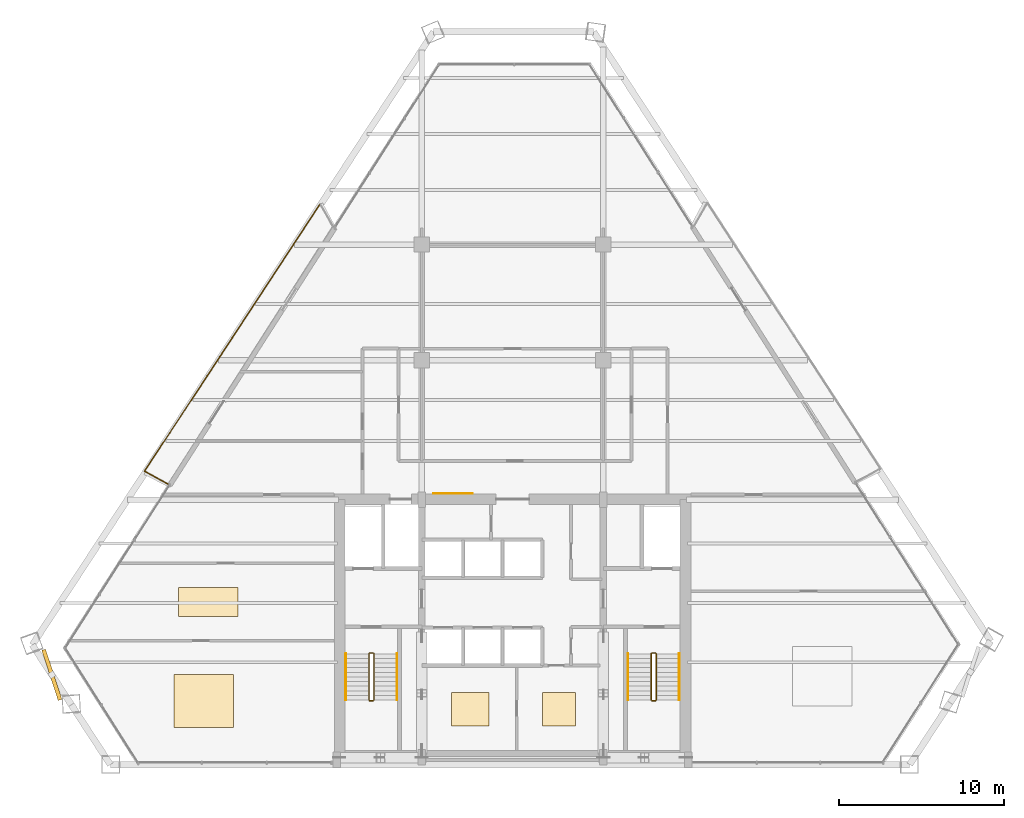
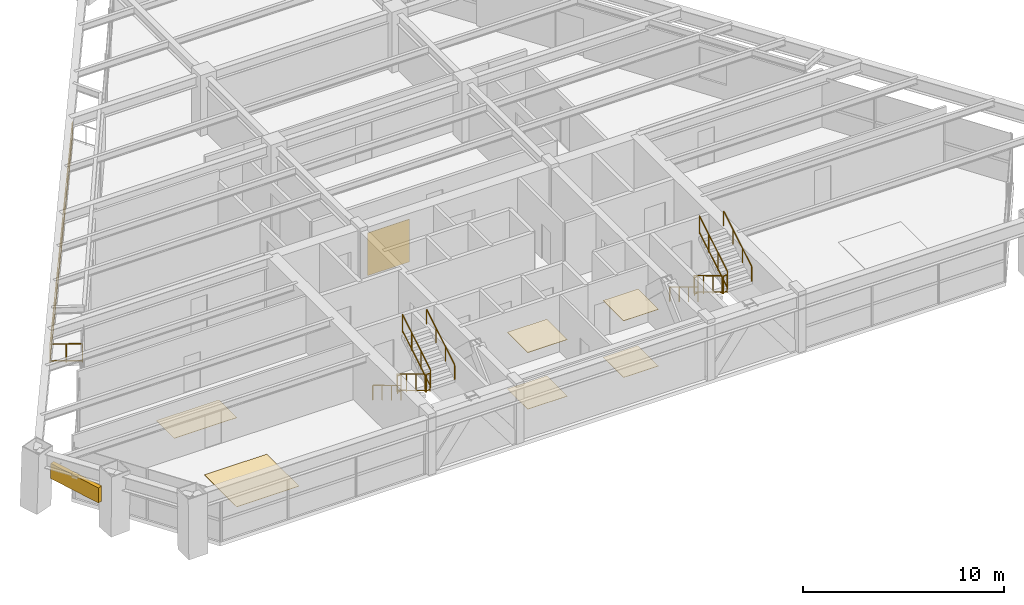
# One storey, part 14 of 15: 14 railings, 7 coverings, 1 shading device.
"""IFC4 building model written with IfcOpenShell, lengths in metres."""

from ifc_helpers import new_model, si_unit, direction, frame, origin, origin_2d, place, context, subcontext, project, spatial, rectangle, extrude, source, transform, mapped, material, layer, layer_set, type_object, type_shapes, element, save


model = new_model("IFC4")

# Units and contexts
model_context = context("Model", 3, precision=1e-05, world=origin(), true_north=direction((0.0, 1.0)))
body_context = subcontext(model_context, "Body", "Model", "MODEL_VIEW")
ifc_project = project(units=[si_unit("LENGTHUNIT", "METRE"), si_unit("AREAUNIT", "SQUARE_METRE"), si_unit("VOLUMEUNIT", "CUBIC_METRE"), si_unit("PLANEANGLEUNIT", "RADIAN"), si_unit("MASSUNIT", "GRAM", prefix="KILO")], contexts=[model_context])

# Site, building, storey
site_placement = place(None, origin())
site = spatial("IfcSite", under=ifc_project, at=site_placement, CompositionType="ELEMENT")
building_placement = place(site_placement, origin())
building = spatial("IfcBuilding", under=site, at=building_placement, Name="Varnakhor Terracotta Tower", CompositionType="ELEMENT")
storey_placement = place(building_placement, frame((0.0, 0.0, 155.199951171875)))
storey = spatial("IfcBuildingStorey", under=building, at=storey_placement, Name="L39", CompositionType="ELEMENT", Elevation=155.199951171875)

# Railings
ifc_material_1 = material(Name="Stainless Steel & Laminated Glass Guardrail", Category="steel")
railing_type_1 = type_object("IfcRailingType", Name="RLG-LOGGIA-GUARD-1150", PredefinedType="GUARDRAIL", material=ifc_material_1)
railing_1_placement = place(storey_placement, frame((-20.88134765625, 16.99462890625, 0.0)))
element("IfcRailing", 1, at=railing_1_placement, inside=storey, type_object=railing_type_1, Name="L39 W Loggia Glass Guard 1", PredefinedType="GUARDRAIL", context=body_context, shape_type="SweptSolid", body=[
    extrude(rectangle(XDim=0.048095703125, YDim=0.048095703125, at=origin_2d()), frame((0.0, 0.0, 1.1259765625), z_axis=(-0.874912667921, 0.484280727999, 0.0), x_axis=(-0.484280727999, -0.874912667921, 0.0)), (0.0, 0.0, 1.0), 1.61376953125),
    extrude(rectangle(XDim=0.048095703125, YDim=0.048095703125, at=origin_2d()), frame((0.0, 0.0, 0.10009765625), z_axis=(-0.874912667921, 0.484280727999, 0.0), x_axis=(-0.484280727999, -0.874912667921, 0.0)), (0.0, 0.0, 1.0), 1.61376953125),
    extrude(rectangle(XDim=0.0419921875, YDim=0.0419921875, at=origin_2d()), origin(), (0.0, 0.0, 1.0), 1.101806640625),
    extrude(rectangle(XDim=0.0419921875, YDim=0.0419921875, at=origin_2d()), frame((-0.7060546875, 0.390625, 0.0)), (0.0, 0.0, 1.0), 1.101806640625),
    extrude(rectangle(XDim=0.0419921875, YDim=0.0419921875, at=origin_2d()), frame((-1.411865234375, 0.781494140625, 0.0)), (0.0, 0.0, 1.0), 1.101806640625),
])
railing_2_placement = place(storey_placement, frame((-22.293212890625, 17.776123046875, 0.0)))
element("IfcRailing", 2, at=railing_2_placement, inside=storey, type_object=railing_type_1, Name="L39 W Loggia Glass Guard 2", PredefinedType="GUARDRAIL", context=body_context, shape_type="SweptSolid", body=[
    extrude(rectangle(XDim=0.048095703125, YDim=0.048095703125, at=origin_2d()), frame((0.0, 0.0, 1.1259765625), z_axis=(0.549080256415, 0.835769628555, 0.0), x_axis=(-0.835769628555, 0.549080256415, 0.0)), (0.0, 0.0, 1.0), 19.361572265625),
    extrude(rectangle(XDim=0.048095703125, YDim=0.048095703125, at=origin_2d()), frame((0.0, 0.0, 0.10009765625), z_axis=(0.549080256415, 0.835769628555, 0.0), x_axis=(-0.835769628555, 0.549080256415, 0.0)), (0.0, 0.0, 1.0), 19.361572265625),
    extrude(rectangle(XDim=0.0419921875, YDim=0.0419921875, at=origin_2d()), origin(), (0.0, 0.0, 1.0), 1.101806640625),
    extrude(rectangle(XDim=0.0419921875, YDim=0.0419921875, at=origin_2d()), frame((0.75927734375, 1.15576171875, 0.0)), (0.0, 0.0, 1.0), 1.101806640625),
    extrude(rectangle(XDim=0.0419921875, YDim=0.0419921875, at=origin_2d()), frame((1.518798828125, 2.311767578125, 0.0)), (0.0, 0.0, 1.0), 1.101806640625),
    extrude(rectangle(XDim=0.0419921875, YDim=0.0419921875, at=origin_2d()), frame((2.278076171875, 3.467529296875, 0.0)), (0.0, 0.0, 1.0), 1.101806640625),
    extrude(rectangle(XDim=0.0419921875, YDim=0.0419921875, at=origin_2d()), frame((3.037353515625, 4.623291015625, 0.0)), (0.0, 0.0, 1.0), 1.101806640625),
    extrude(rectangle(XDim=0.0419921875, YDim=0.0419921875, at=origin_2d()), frame((3.796875, 5.779296875, 0.0)), (0.0, 0.0, 1.0), 1.101806640625),
    extrude(rectangle(XDim=0.0419921875, YDim=0.0419921875, at=origin_2d()), frame((4.55615234375, 6.93505859375, 0.0)), (0.0, 0.0, 1.0), 1.101806640625),
    extrude(rectangle(XDim=0.0419921875, YDim=0.0419921875, at=origin_2d()), frame((5.3154296875, 8.0908203125, 0.0)), (0.0, 0.0, 1.0), 1.101806640625),
    extrude(rectangle(XDim=0.0419921875, YDim=0.0419921875, at=origin_2d()), frame((6.074951171875, 9.246826171875, 0.0)), (0.0, 0.0, 1.0), 1.101806640625),
    extrude(rectangle(XDim=0.0419921875, YDim=0.0419921875, at=origin_2d()), frame((6.834228515625, 10.402587890625, 0.0)), (0.0, 0.0, 1.0), 1.101806640625),
    extrude(rectangle(XDim=0.0419921875, YDim=0.0419921875, at=origin_2d()), frame((7.59375, 11.55859375, 0.0)), (0.0, 0.0, 1.0), 1.101806640625),
    extrude(rectangle(XDim=0.0419921875, YDim=0.0419921875, at=origin_2d()), frame((8.35302734375, 12.71435546875, 0.0)), (0.0, 0.0, 1.0), 1.101806640625),
    extrude(rectangle(XDim=0.0419921875, YDim=0.0419921875, at=origin_2d()), frame((9.1123046875, 13.8701171875, 0.0)), (0.0, 0.0, 1.0), 1.101806640625),
    extrude(rectangle(XDim=0.0419921875, YDim=0.0419921875, at=origin_2d()), frame((9.871826171875, 15.026123046875, 0.0)), (0.0, 0.0, 1.0), 1.101806640625),
    extrude(rectangle(XDim=0.0419921875, YDim=0.0419921875, at=origin_2d()), frame((10.631103515625, 16.181884765625, 0.0)), (0.0, 0.0, 1.0), 1.101806640625),
])
ifc_material_2 = material(Name="Painted Steel Stairwell Guardrail", Category="steel")
railing_type_2 = type_object("IfcRailingType", Name="RLG-STAIR-GUARD-1120", PredefinedType="GUARDRAIL", material=ifc_material_2)
railing_3_placement = place(storey_placement, frame((-8.699951171875, 6.7099609375, 0.168212890625)))
element("IfcRailing", 3, at=railing_3_placement, inside=storey, type_object=railing_type_2, Name="L39 ST-1 stair guard 1", PredefinedType="GUARDRAIL", context=body_context, shape_type="SweptSolid", body=[
    extrude(rectangle(XDim=0.048095703125, YDim=0.048095703125, at=origin_2d()), frame((0.0, 0.0, 1.09619140625), z_axis=(0.0, -0.857242210791, 0.514913383045), x_axis=(1.0, 0.0, 0.0)), (0.0, 0.0, 1.0), 3.266357421875),
    extrude(rectangle(XDim=0.048095703125, YDim=0.048095703125, at=origin_2d()), frame((0.0, 0.0, 0.10009765625), z_axis=(0.0, -0.857242210791, 0.514913383045), x_axis=(1.0, 0.0, 0.0)), (0.0, 0.0, 1.0), 3.266357421875),
    extrude(rectangle(XDim=0.0419921875, YDim=0.0419921875, at=origin_2d()), origin(), (0.0, 0.0, 1.0), 1.072021484375),
    extrude(rectangle(XDim=0.0419921875, YDim=0.0419921875, at=origin_2d()), frame((0.0, -0.933349609375, 0.560546875)), (0.0, 0.0, 1.0), 1.072021484375),
    extrude(rectangle(XDim=0.0419921875, YDim=0.0419921875, at=origin_2d()), frame((0.0, -1.86669921875, 1.121337890625)), (0.0, 0.0, 1.0), 1.072021484375),
    extrude(rectangle(XDim=0.0419921875, YDim=0.0419921875, at=origin_2d()), frame((0.0, -2.800048828125, 1.681884765625)), (0.0, 0.0, 1.0), 1.072021484375),
])
railing_4_placement = place(storey_placement, frame((-8.64990234375, 3.860107421875, 1.85009765625)))
element("IfcRailing", 4, at=railing_4_placement, inside=storey, type_object=railing_type_2, Name="L39 ST-1 stair guard 2", PredefinedType="GUARDRAIL", context=body_context, shape_type="SweptSolid", body=[
    extrude(rectangle(XDim=0.048095703125, YDim=0.048095703125, at=origin_2d()), frame((0.0, 0.0, 1.09619140625), z_axis=(1.0, 0.0, 0.0), x_axis=(0.0, 1.0, 0.0)), (0.0, 0.0, 1.0), 0.199951171875),
    extrude(rectangle(XDim=0.048095703125, YDim=0.048095703125, at=origin_2d()), frame((0.0, 0.0, 0.10009765625), z_axis=(1.0, 0.0, 0.0), x_axis=(0.0, 1.0, 0.0)), (0.0, 0.0, 1.0), 0.199951171875),
    extrude(rectangle(XDim=0.0419921875, YDim=0.0419921875, at=origin_2d()), origin(), (0.0, 0.0, 1.0), 1.072021484375),
    extrude(rectangle(XDim=0.0419921875, YDim=0.0419921875, at=origin_2d()), frame((0.199951171875, 0.0, 0.0)), (0.0, 0.0, 1.0), 1.072021484375),
])
railing_5_placement = place(storey_placement, frame((-8.39990234375, 3.909912109375, 2.018310546875)))
element("IfcRailing", 5, at=railing_5_placement, inside=storey, type_object=railing_type_2, Name="L39 ST-1 stair guard 3", PredefinedType="GUARDRAIL", context=body_context, shape_type="SweptSolid", body=[
    extrude(rectangle(XDim=0.048095703125, YDim=0.048095703125, at=origin_2d()), frame((0.0, 0.0, 1.09619140625), z_axis=(0.0, 0.857275202839, 0.514858452973), x_axis=(-1.0, 0.0, 0.0)), (0.0, 0.0, 1.0), 3.26611328125),
    extrude(rectangle(XDim=0.048095703125, YDim=0.048095703125, at=origin_2d()), frame((0.0, 0.0, 0.10009765625), z_axis=(0.0, 0.857275202839, 0.514858452973), x_axis=(-1.0, 0.0, 0.0)), (0.0, 0.0, 1.0), 3.26611328125),
    extrude(rectangle(XDim=0.0419921875, YDim=0.0419921875, at=origin_2d()), origin(), (0.0, 0.0, 1.0), 1.072021484375),
    extrude(rectangle(XDim=0.0419921875, YDim=0.0419921875, at=origin_2d()), frame((0.0, 0.933349609375, 0.560546875)), (0.0, 0.0, 1.0), 1.072021484375),
    extrude(rectangle(XDim=0.0419921875, YDim=0.0419921875, at=origin_2d()), frame((0.0, 1.86669921875, 1.12109375)), (0.0, 0.0, 1.0), 1.072021484375),
    extrude(rectangle(XDim=0.0419921875, YDim=0.0419921875, at=origin_2d()), frame((0.0, 2.800048828125, 1.681640625)), (0.0, 0.0, 1.0), 1.072021484375),
])
railing_6_placement = place(storey_placement, frame((-8.64990234375, 6.760009765625, 0.0)))
element("IfcRailing", 6, at=railing_6_placement, inside=storey, type_object=railing_type_2, Name="L39 ST-1 stair guard 4", PredefinedType="GUARDRAIL", context=body_context, shape_type="SweptSolid", body=[
    extrude(rectangle(XDim=0.048095703125, YDim=0.048095703125, at=origin_2d()), frame((0.0, 0.0, 1.09619140625), z_axis=(1.0, 0.0, 0.0), x_axis=(0.0, 1.0, 0.0)), (0.0, 0.0, 1.0), 0.199951171875),
    extrude(rectangle(XDim=0.048095703125, YDim=0.048095703125, at=origin_2d()), frame((0.0, 0.0, 0.10009765625), z_axis=(1.0, 0.0, 0.0), x_axis=(0.0, 1.0, 0.0)), (0.0, 0.0, 1.0), 0.199951171875),
    extrude(rectangle(XDim=0.0419921875, YDim=0.0419921875, at=origin_2d()), origin(), (0.0, 0.0, 1.0), 1.072021484375),
    extrude(rectangle(XDim=0.0419921875, YDim=0.0419921875, at=origin_2d()), frame((0.199951171875, 0.0, 0.0)), (0.0, 0.0, 1.0), 1.072021484375),
])
railing_7_placement = place(storey_placement, frame((8.39990234375, 6.7099609375, 0.168212890625)))
element("IfcRailing", 7, at=railing_7_placement, inside=storey, type_object=railing_type_2, Name="L39 ST-2 stair guard 1", PredefinedType="GUARDRAIL", context=body_context, shape_type="SweptSolid", body=[
    extrude(rectangle(XDim=0.048095703125, YDim=0.048095703125, at=origin_2d()), frame((0.0, 0.0, 1.09619140625), z_axis=(0.0, -0.857242210791, 0.514913383045), x_axis=(1.0, 0.0, 0.0)), (0.0, 0.0, 1.0), 3.266357421875),
    extrude(rectangle(XDim=0.048095703125, YDim=0.048095703125, at=origin_2d()), frame((0.0, 0.0, 0.10009765625), z_axis=(0.0, -0.857242210791, 0.514913383045), x_axis=(1.0, 0.0, 0.0)), (0.0, 0.0, 1.0), 3.266357421875),
    extrude(rectangle(XDim=0.0419921875, YDim=0.0419921875, at=origin_2d()), origin(), (0.0, 0.0, 1.0), 1.072021484375),
    extrude(rectangle(XDim=0.0419921875, YDim=0.0419921875, at=origin_2d()), frame((0.0, -0.933349609375, 0.560546875)), (0.0, 0.0, 1.0), 1.072021484375),
    extrude(rectangle(XDim=0.0419921875, YDim=0.0419921875, at=origin_2d()), frame((0.0, -1.86669921875, 1.121337890625)), (0.0, 0.0, 1.0), 1.072021484375),
    extrude(rectangle(XDim=0.0419921875, YDim=0.0419921875, at=origin_2d()), frame((0.0, -2.800048828125, 1.681884765625)), (0.0, 0.0, 1.0), 1.072021484375),
])
railing_8_placement = place(storey_placement, frame((8.449951171875, 3.860107421875, 1.85009765625)))
element("IfcRailing", 8, at=railing_8_placement, inside=storey, type_object=railing_type_2, Name="L39 ST-2 stair guard 2", PredefinedType="GUARDRAIL", context=body_context, shape_type="SweptSolid", body=[
    extrude(rectangle(XDim=0.048095703125, YDim=0.048095703125, at=origin_2d()), frame((0.0, 0.0, 1.09619140625), z_axis=(1.0, 0.0, 0.0), x_axis=(0.0, 1.0, 0.0)), (0.0, 0.0, 1.0), 0.199951171875),
    extrude(rectangle(XDim=0.048095703125, YDim=0.048095703125, at=origin_2d()), frame((0.0, 0.0, 0.10009765625), z_axis=(1.0, 0.0, 0.0), x_axis=(0.0, 1.0, 0.0)), (0.0, 0.0, 1.0), 0.199951171875),
    extrude(rectangle(XDim=0.0419921875, YDim=0.0419921875, at=origin_2d()), origin(), (0.0, 0.0, 1.0), 1.072021484375),
    extrude(rectangle(XDim=0.0419921875, YDim=0.0419921875, at=origin_2d()), frame((0.199951171875, 0.0, 0.0)), (0.0, 0.0, 1.0), 1.072021484375),
])
railing_9_placement = place(storey_placement, frame((8.699951171875, 3.909912109375, 2.018310546875)))
element("IfcRailing", 9, at=railing_9_placement, inside=storey, type_object=railing_type_2, Name="L39 ST-2 stair guard 3", PredefinedType="GUARDRAIL", context=body_context, shape_type="SweptSolid", body=[
    extrude(rectangle(XDim=0.048095703125, YDim=0.048095703125, at=origin_2d()), frame((0.0, 0.0, 1.09619140625), z_axis=(0.0, 0.857275202839, 0.514858452973), x_axis=(-1.0, 0.0, 0.0)), (0.0, 0.0, 1.0), 3.26611328125),
    extrude(rectangle(XDim=0.048095703125, YDim=0.048095703125, at=origin_2d()), frame((0.0, 0.0, 0.10009765625), z_axis=(0.0, 0.857275202839, 0.514858452973), x_axis=(-1.0, 0.0, 0.0)), (0.0, 0.0, 1.0), 3.26611328125),
    extrude(rectangle(XDim=0.0419921875, YDim=0.0419921875, at=origin_2d()), origin(), (0.0, 0.0, 1.0), 1.072021484375),
    extrude(rectangle(XDim=0.0419921875, YDim=0.0419921875, at=origin_2d()), frame((0.0, 0.933349609375, 0.560546875)), (0.0, 0.0, 1.0), 1.072021484375),
    extrude(rectangle(XDim=0.0419921875, YDim=0.0419921875, at=origin_2d()), frame((0.0, 1.86669921875, 1.12109375)), (0.0, 0.0, 1.0), 1.072021484375),
    extrude(rectangle(XDim=0.0419921875, YDim=0.0419921875, at=origin_2d()), frame((0.0, 2.800048828125, 1.681640625)), (0.0, 0.0, 1.0), 1.072021484375),
])
railing_10_placement = place(storey_placement, frame((8.449951171875, 6.760009765625, 0.0)))
element("IfcRailing", 10, at=railing_10_placement, inside=storey, type_object=railing_type_2, Name="L39 ST-2 stair guard 4", PredefinedType="GUARDRAIL", context=body_context, shape_type="SweptSolid", body=[
    extrude(rectangle(XDim=0.048095703125, YDim=0.048095703125, at=origin_2d()), frame((0.0, 0.0, 1.09619140625), z_axis=(1.0, 0.0, 0.0), x_axis=(0.0, 1.0, 0.0)), (0.0, 0.0, 1.0), 0.199951171875),
    extrude(rectangle(XDim=0.048095703125, YDim=0.048095703125, at=origin_2d()), frame((0.0, 0.0, 0.10009765625), z_axis=(1.0, 0.0, 0.0), x_axis=(0.0, 1.0, 0.0)), (0.0, 0.0, 1.0), 0.199951171875),
    extrude(rectangle(XDim=0.0419921875, YDim=0.0419921875, at=origin_2d()), origin(), (0.0, 0.0, 1.0), 1.072021484375),
    extrude(rectangle(XDim=0.0419921875, YDim=0.0419921875, at=origin_2d()), frame((0.199951171875, 0.0, 0.0)), (0.0, 0.0, 1.0), 1.072021484375),
])
ifc_material_3 = material(Name="Brushed Stainless Steel Handrail", Category="steel")
railing_type_3 = type_object("IfcRailingType", Name="RLG-STAIR-HANDRAIL-920", PredefinedType="HANDRAIL", material=ifc_material_3)
railing_11_placement = place(storey_placement, frame((-10.10009765625, 6.7099609375, 0.168212890625)))
element("IfcRailing", 11, at=railing_11_placement, inside=storey, type_object=railing_type_3, Name="L39 ST-1 stair handrail 1", PredefinedType="HANDRAIL", context=body_context, shape_type="SweptSolid", body=[
    extrude(rectangle(XDim=0.048095703125, YDim=0.048095703125, at=origin_2d()), frame((0.0, 0.0, 0.89599609375), z_axis=(0.0, -0.857242210791, 0.514913383045), x_axis=(1.0, 0.0, 0.0)), (0.0, 0.0, 1.0), 3.266357421875),
    extrude(rectangle(XDim=0.0419921875, YDim=0.0419921875, at=origin_2d()), origin(), (0.0, 0.0, 1.0), 0.871826171875),
    extrude(rectangle(XDim=0.0419921875, YDim=0.0419921875, at=origin_2d()), frame((0.0, -0.933349609375, 0.560546875)), (0.0, 0.0, 1.0), 0.871826171875),
    extrude(rectangle(XDim=0.0419921875, YDim=0.0419921875, at=origin_2d()), frame((0.0, -1.86669921875, 1.121337890625)), (0.0, 0.0, 1.0), 0.871826171875),
    extrude(rectangle(XDim=0.0419921875, YDim=0.0419921875, at=origin_2d()), frame((0.0, -2.800048828125, 1.681884765625)), (0.0, 0.0, 1.0), 0.871826171875),
])
railing_12_placement = place(storey_placement, frame((-7.0, 3.909912109375, 2.018310546875)))
element("IfcRailing", 12, at=railing_12_placement, inside=storey, type_object=railing_type_3, Name="L39 ST-1 stair handrail 2", PredefinedType="HANDRAIL", context=body_context, shape_type="SweptSolid", body=[
    extrude(rectangle(XDim=0.048095703125, YDim=0.048095703125, at=origin_2d()), frame((0.0, 0.0, 0.89599609375), z_axis=(0.0, 0.857275202839, 0.514858452973), x_axis=(-1.0, 0.0, 0.0)), (0.0, 0.0, 1.0), 3.26611328125),
    extrude(rectangle(XDim=0.0419921875, YDim=0.0419921875, at=origin_2d()), origin(), (0.0, 0.0, 1.0), 0.871826171875),
    extrude(rectangle(XDim=0.0419921875, YDim=0.0419921875, at=origin_2d()), frame((0.0, 0.933349609375, 0.560546875)), (0.0, 0.0, 1.0), 0.871826171875),
    extrude(rectangle(XDim=0.0419921875, YDim=0.0419921875, at=origin_2d()), frame((0.0, 1.86669921875, 1.12109375)), (0.0, 0.0, 1.0), 0.871826171875),
    extrude(rectangle(XDim=0.0419921875, YDim=0.0419921875, at=origin_2d()), frame((0.0, 2.800048828125, 1.681640625)), (0.0, 0.0, 1.0), 0.871826171875),
])
railing_13_placement = place(storey_placement, frame((7.0, 6.7099609375, 0.168212890625)))
element("IfcRailing", 13, at=railing_13_placement, inside=storey, type_object=railing_type_3, Name="L39 ST-2 stair handrail 1", PredefinedType="HANDRAIL", context=body_context, shape_type="SweptSolid", body=[
    extrude(rectangle(XDim=0.048095703125, YDim=0.048095703125, at=origin_2d()), frame((0.0, 0.0, 0.89599609375), z_axis=(0.0, -0.857242210791, 0.514913383045), x_axis=(1.0, 0.0, 0.0)), (0.0, 0.0, 1.0), 3.266357421875),
    extrude(rectangle(XDim=0.0419921875, YDim=0.0419921875, at=origin_2d()), origin(), (0.0, 0.0, 1.0), 0.871826171875),
    extrude(rectangle(XDim=0.0419921875, YDim=0.0419921875, at=origin_2d()), frame((0.0, -0.933349609375, 0.560546875)), (0.0, 0.0, 1.0), 0.871826171875),
    extrude(rectangle(XDim=0.0419921875, YDim=0.0419921875, at=origin_2d()), frame((0.0, -1.86669921875, 1.121337890625)), (0.0, 0.0, 1.0), 0.871826171875),
    extrude(rectangle(XDim=0.0419921875, YDim=0.0419921875, at=origin_2d()), frame((0.0, -2.800048828125, 1.681884765625)), (0.0, 0.0, 1.0), 0.871826171875),
])
railing_14_placement = place(storey_placement, frame((10.10009765625, 3.909912109375, 2.018310546875)))
element("IfcRailing", 14, at=railing_14_placement, inside=storey, type_object=railing_type_3, Name="L39 ST-2 stair handrail 2", PredefinedType="HANDRAIL", context=body_context, shape_type="SweptSolid", body=[
    extrude(rectangle(XDim=0.048095703125, YDim=0.048095703125, at=origin_2d()), frame((0.0, 0.0, 0.89599609375), z_axis=(0.0, 0.857275202839, 0.514858452973), x_axis=(-1.0, 0.0, 0.0)), (0.0, 0.0, 1.0), 3.26611328125),
    extrude(rectangle(XDim=0.0419921875, YDim=0.0419921875, at=origin_2d()), origin(), (0.0, 0.0, 1.0), 0.871826171875),
    extrude(rectangle(XDim=0.0419921875, YDim=0.0419921875, at=origin_2d()), frame((0.0, 0.933349609375, 0.560546875)), (0.0, 0.0, 1.0), 0.871826171875),
    extrude(rectangle(XDim=0.0419921875, YDim=0.0419921875, at=origin_2d()), frame((0.0, 1.86669921875, 1.12109375)), (0.0, 0.0, 1.0), 0.871826171875),
    extrude(rectangle(XDim=0.0419921875, YDim=0.0419921875, at=origin_2d()), frame((0.0, 2.800048828125, 1.681640625)), (0.0, 0.0, 1.0), 0.871826171875),
])

# Shading device
ifc_material_4 = material(Name="Extruded Architectural Terracotta Screen", Category="masonry")
shading_device_type = type_object("IfcShadingDeviceType", Name="TERRACOTTA SOLAR SCREEN W", PredefinedType="USERDEFINED", material=ifc_material_4)
shared_shape_1 = source(origin(), body_context, "Body", "SweptSolid", [
    extrude(rectangle(XDim=3.199951171875, YDim=0.239990234375, at=origin_2d()), origin(), (0.0, 0.0, 1.0), 0.919921875),
])
type_shapes(shading_device_type, [shared_shape_1])
shading_device_placement = place(storey_placement, frame((-27.913330078125, 5.437744140625, 1.710205078125), z_axis=(0.0, 0.0, 1.0), x_axis=(0.310560299909, -0.95055368082, 0.0)))
element("IfcShadingDevice", 15, at=shading_device_placement, inside=storey, type_object=shading_device_type, Name="L39 W Terracotta Solar Screen", ObjectType="SCREEN", PredefinedType="USERDEFINED", context=body_context, shape_type="MappedRepresentation", body=[
    mapped(shared_shape_1, transform((0.0, 0.0, 0.0), scale=1.0)),
])

# Coverings
ifc_material_5 = material(Name="Extruded Architectural Terracotta Cladding", Category="masonry")
ifc_layer_1 = layer(ifc_material_5, 0.044921875, Name="Extruded Architectural Terracotta Cladding")
ifc_layer_set_1 = layer_set([ifc_layer_1], Name="Extruded Architectural Terracotta Cladding")
covering_type_1 = type_object("IfcCoveringType", Name="COV-CLAD-TERRACOTTA", PredefinedType="CLADDING", material=ifc_layer_set_1)
shared_shape_2 = source(origin(), body_context, "Body", "SweptSolid", [
    extrude(rectangle(XDim=2.39990234375, YDim=0.030029296875, at=origin_2d()), origin(), (0.0, 0.0, 1.0), 2.60009765625),
])
type_shapes(covering_type_1, [shared_shape_2])
covering_1_placement = place(storey_placement, frame((-3.60009765625, 16.412109375, 0.0), z_axis=(0.0, 0.0, 1.0), x_axis=(1.0, 0.0, 0.0)))
element("IfcCovering", 16, at=covering_1_placement, inside=storey, type_object=covering_type_1, Name="L39 Core Lobby Limestone Cladding", PredefinedType="CLADDING", context=body_context, shape_type="MappedRepresentation", body=[
    mapped(shared_shape_2, transform((0.0, 0.0, 0.0), scale=1.0)),
])
ifc_material_6 = material(Name="Honed Riyadh Limestone Flooring", Category="masonry")
ifc_layer_2 = layer(ifc_material_6, 0.030029296875, Name="Honed Riyadh Limestone Flooring")
ifc_layer_set_2 = layer_set([ifc_layer_2], Name="Honed Riyadh Limestone Flooring")
covering_type_2 = type_object("IfcCoveringType", Name="COV-FLOOR-LIMESTONE", PredefinedType="FLOORING", material=ifc_layer_set_2)
shared_shape_3 = source(origin(), body_context, "Body", "SweptSolid", [
    extrude(rectangle(XDim=3.60009765625, YDim=3.214111328125, at=origin_2d()), origin(), (0.0, 0.0, 1.0), 0.02001953125),
])
covering_2_placement = place(storey_placement, frame((-18.717041015625, 3.85205078125, 0.0), z_axis=(0.0, 0.0, 1.0), x_axis=(1.0, 0.0, 0.0)))
element("IfcCovering", 17, at=covering_2_placement, inside=storey, type_object=covering_type_2, Name="L39 Honed Stone Flooring 3", PredefinedType="FLOORING", context=body_context, shape_type="MappedRepresentation", body=[
    mapped(shared_shape_3, transform((0.0, 0.0, 0.0), scale=1.0)),
])
shared_shape_4 = source(origin(), body_context, "Body", "SweptSolid", [
    extrude(rectangle(XDim=3.60009765625, YDim=1.785888671875, at=origin_2d()), origin(), (0.0, 0.0, 1.0), 0.02001953125),
])
covering_3_placement = place(storey_placement, frame((-18.43408203125, 9.85009765625, 0.0), z_axis=(0.0, 0.0, 1.0), x_axis=(1.0, 0.0, 0.0)))
element("IfcCovering", 18, at=covering_3_placement, inside=storey, type_object=covering_type_2, Name="L39 Honed Stone Flooring 5", PredefinedType="FLOORING", context=body_context, shape_type="MappedRepresentation", body=[
    mapped(shared_shape_4, transform((0.0, 0.0, 0.0), scale=1.0)),
])
shared_shape_5 = source(origin(), body_context, "Body", "SweptSolid", [
    extrude(rectangle(XDim=2.281982421875, YDim=2.041015625, at=origin_2d()), origin(), (0.0, 0.0, 1.0), 0.02001953125),
])
covering_4_placement = place(storey_placement, frame((-2.56494140625, 3.35498046875, 0.0), z_axis=(0.0, 0.0, 1.0), x_axis=(1.0, 0.0, 0.0)))
element("IfcCovering", 19, at=covering_4_placement, inside=storey, type_object=covering_type_2, Name="L39 Honed Stone Flooring 1", PredefinedType="FLOORING", context=body_context, shape_type="MappedRepresentation", body=[
    mapped(shared_shape_5, transform((0.0, 0.0, 0.0), scale=1.0)),
])
ifc_material_7 = material(Name="Perforated Acoustic Mineral-Fibre Ceiling", Category="gypsum")
ifc_layer_3 = layer(ifc_material_7, 0.02490234375, Name="Perforated Acoustic Mineral-Fibre Ceiling")
ifc_layer_set_3 = layer_set([ifc_layer_3], Name="Perforated Acoustic Mineral-Fibre Ceiling")
covering_type_3 = type_object("IfcCoveringType", Name="COV-CEILING-ACOUSTIC", PredefinedType="CEILING", material=ifc_layer_set_3)
shared_shape_6 = source(origin(), body_context, "Body", "SweptSolid", [
    extrude(rectangle(XDim=2.281982421875, YDim=2.041015625, at=origin_2d()), origin(), (0.0, 0.0, 1.0), 0.02392578125),
])
covering_5_placement = place(storey_placement, frame((-2.56494140625, 3.35498046875, 3.446044921875), z_axis=(0.0, 0.0, 1.0), x_axis=(1.0, 0.0, 0.0)))
element("IfcCovering", 20, at=covering_5_placement, inside=storey, type_object=covering_type_3, Name="L39 Acoustic Ceiling Panel 1", PredefinedType="CEILING", context=body_context, shape_type="MappedRepresentation", body=[
    mapped(shared_shape_6, transform((0.0, 0.0, 0.0), scale=1.0)),
])
shared_shape_7 = source(origin(), body_context, "Body", "SweptSolid", [
    extrude(rectangle(XDim=2.007080078125, YDim=2.041015625, at=origin_2d()), origin(), (0.0, 0.0, 1.0), 0.02001953125),
])
covering_6_placement = place(storey_placement, frame((2.81494140625, 3.35498046875, 0.0), z_axis=(0.0, 0.0, 1.0), x_axis=(1.0, 0.0, 0.0)))
element("IfcCovering", 21, at=covering_6_placement, inside=storey, type_object=covering_type_2, Name="L39 Honed Stone Flooring 2", PredefinedType="FLOORING", context=body_context, shape_type="MappedRepresentation", body=[
    mapped(shared_shape_7, transform((0.0, 0.0, 0.0), scale=1.0)),
])
shared_shape_8 = source(origin(), body_context, "Body", "SweptSolid", [
    extrude(rectangle(XDim=2.007080078125, YDim=2.041015625, at=origin_2d()), origin(), (0.0, 0.0, 1.0), 0.02392578125),
])
covering_7_placement = place(storey_placement, frame((2.81494140625, 3.35498046875, 3.446044921875), z_axis=(0.0, 0.0, 1.0), x_axis=(1.0, 0.0, 0.0)))
element("IfcCovering", 22, at=covering_7_placement, inside=storey, type_object=covering_type_3, Name="L39 Acoustic Ceiling Panel 2", PredefinedType="CEILING", context=body_context, shape_type="MappedRepresentation", body=[
    mapped(shared_shape_8, transform((0.0, 0.0, 0.0), scale=1.0)),
])

save(model, "model.ifc")
